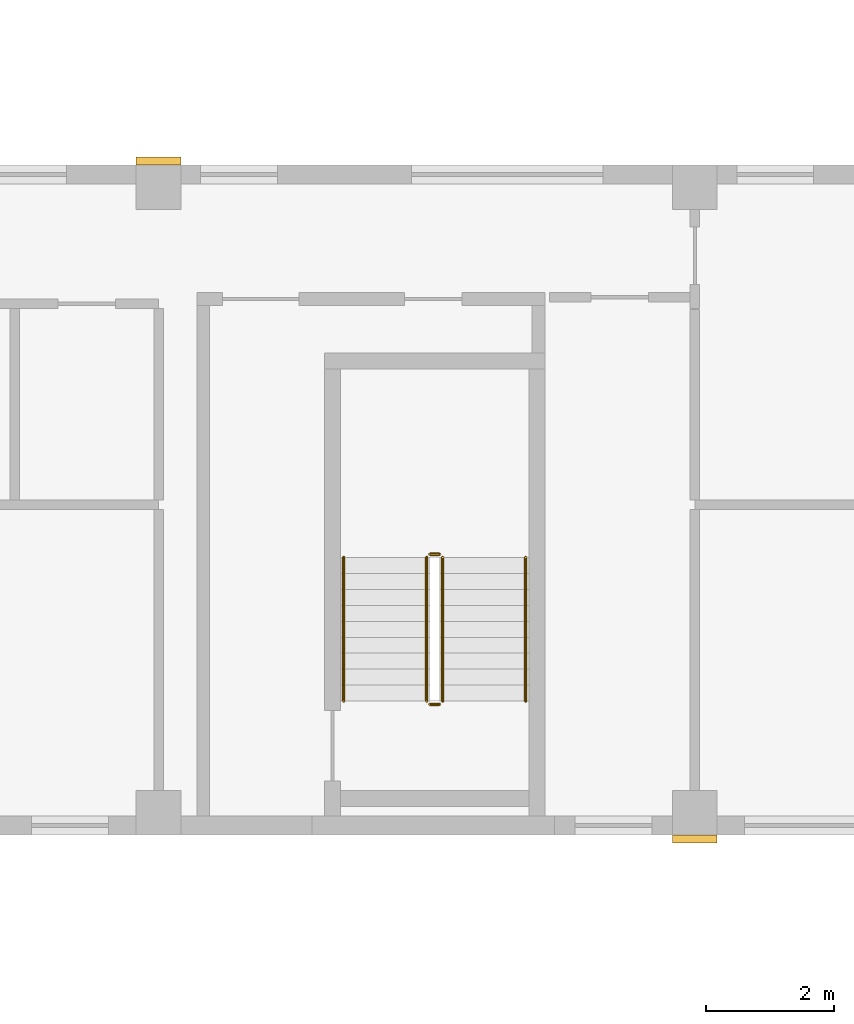
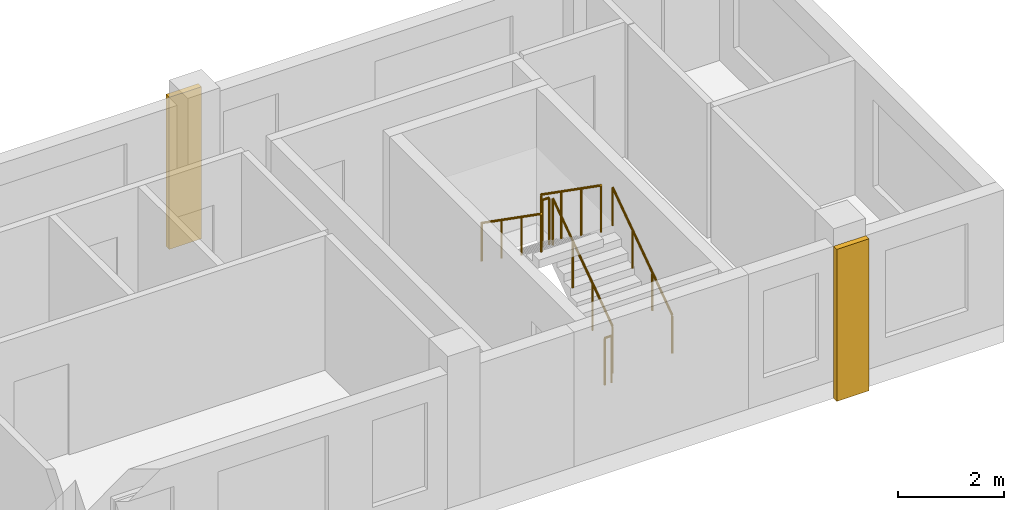
# One storey, part 8 of 9: 6 railings, 2 coverings.
"""IFC4 building model written with IfcOpenShell, lengths in metres."""

from ifc_helpers import new_model, si_unit, direction, frame, origin, origin_2d, place, context, subcontext, project, spatial, rectangle, circle, extrude, source, transform, mapped, material, type_object, element, save


model = new_model("IFC4")

# Units and contexts
model_context = context("Model", 3, precision=1e-05, world=origin(), true_north=direction((0.0, 1.0)))
body_context = subcontext(model_context, "Body", "Model", "MODEL_VIEW")
ifc_project = project(units=[si_unit("LENGTHUNIT", "METRE"), si_unit("AREAUNIT", "SQUARE_METRE"), si_unit("VOLUMEUNIT", "CUBIC_METRE"), si_unit("PLANEANGLEUNIT", "RADIAN"), si_unit("MASSUNIT", "GRAM", prefix="KILO")], contexts=[model_context])

# Site, building, storey
site_placement = place(None, origin())
site = spatial("IfcSite", under=ifc_project, at=site_placement, CompositionType="ELEMENT")
building_placement = place(site_placement, origin())
building = spatial("IfcBuilding", under=site, at=building_placement, Name="Aurelian Terraces", CompositionType="ELEMENT")
storey_placement = place(building_placement, frame((0.0, 0.0, 319.5)))
storey = spatial("IfcBuildingStorey", under=building, at=storey_placement, Name="L74", CompositionType="ELEMENT", Elevation=319.5)

# Coverings
ifc_material_1 = material(Name="Terracotta rainscreen cladding relief", Category="masonry")
covering_type = type_object("IfcCoveringType", Name="BAGUETTE-TC", PredefinedType="CLADDING", material=ifc_material_1)
shared_shape_1 = source(origin(), body_context, "Body", "SweptSolid", [
    extrude(rectangle(XDim=0.7, YDim=0.12, at=origin_2d()), origin(), (0.0, 0.0, 1.0), 3.5),
])
for number, where, z_axis, x_axis, name in (
    (1, (46.2, -0.06, -0.4), (0.0, 0.0, 1.0), (1.0, 0.0, 0.0), "BAGUETTE pier L74 3"),
    (2, (37.8, 10.56, -0.4), (0.0, 0.0, 1.0), (1.0, 0.0, 0.0), "BAGUETTE pier L74 4"),
):
    element("IfcCovering", number, at=place(storey_placement, frame(where, z_axis=z_axis, x_axis=x_axis)), inside=storey, type_object=covering_type, Name=name, PredefinedType="CLADDING", context=body_context, shape_type="MappedRepresentation", body=[
        mapped(shared_shape_1, transform((0.0, 0.0, 0.0), scale=1.0)),
    ])

# Railings
ifc_material_2 = material(Name="Stainless steel", Category="steel")
railing_type_1 = type_object("IfcRailingType", Name="Stair guard 1100", PredefinedType="GUARDRAIL", material=ifc_material_2)
shared_shape_2 = source(origin(), body_context, "Body", "SweptSolid", [
    extrude(circle(Radius=0.024, at=origin_2d()), frame((0.0, 0.0, 1.076), z_axis=(-1.0, 0.0, 0.0), x_axis=(0.0, -1.0, 0.0)), (0.0, 0.0, 1.0), 0.15),
    extrude(circle(Radius=0.021, at=origin_2d()), origin(), (0.0, 0.0, 1.0), 1.052),
    extrude(circle(Radius=0.021, at=origin_2d()), frame((-0.15, 0.0, 0.0)), (0.0, 0.0, 1.0), 1.052),
])
for number, where, name in (
    (3, (42.2, 4.4, 1.75), "L74 S2 stair guard 2"),
    (4, (42.2, 2.05, 0.0), "L74 S2 stair guard 4"),
):
    element("IfcRailing", number, at=place(storey_placement, frame(where)), inside=storey, type_object=railing_type_1, Name=name, PredefinedType="GUARDRAIL", context=body_context, shape_type="MappedRepresentation", body=[
        mapped(shared_shape_2, transform((0.0, 0.0, 0.0), scale=1.0)),
    ])
shared_shape_3 = source(origin(), body_context, "Body", "SweptSolid", [
    extrude(circle(Radius=0.024, at=origin_2d()), frame((0.0, 0.0, 1.076), z_axis=(0.0, 0.819231920519, 0.573462344363), x_axis=(-1.0, 0.0, 0.0)), (0.0, 0.0, 1.0), 2.7465),
    extrude(circle(Radius=0.021, at=origin_2d()), origin(), (0.0, 0.0, 1.0), 1.052),
    extrude(circle(Radius=0.021, at=origin_2d()), frame((0.0, 0.75, 0.525)), (0.0, 0.0, 1.0), 1.052),
    extrude(circle(Radius=0.021, at=origin_2d()), frame((0.0, 1.5, 1.05)), (0.0, 0.0, 1.0), 1.052),
    extrude(circle(Radius=0.021, at=origin_2d()), frame((0.0, 2.25, 1.575)), (0.0, 0.0, 1.0), 1.052),
])
railing_1_placement = place(storey_placement, frame((42.25, 2.1, 0.175)))
element("IfcRailing", 5, at=railing_1_placement, inside=storey, type_object=railing_type_1, Name="L74 S2 stair guard 1", PredefinedType="GUARDRAIL", context=body_context, shape_type="MappedRepresentation", body=[
    mapped(shared_shape_3, transform((0.0, 0.0, 0.0), scale=1.0)),
])
shared_shape_4 = source(origin(), body_context, "Body", "SweptSolid", [
    extrude(circle(Radius=0.024, at=origin_2d()), frame((0.0, 0.0, 1.076), z_axis=(0.0, -0.819231920519, 0.573462344363), x_axis=(1.0, 0.0, 0.0)), (0.0, 0.0, 1.0), 2.7465),
    extrude(circle(Radius=0.021, at=origin_2d()), origin(), (0.0, 0.0, 1.0), 1.052),
    extrude(circle(Radius=0.021, at=origin_2d()), frame((0.0, -0.75, 0.525)), (0.0, 0.0, 1.0), 1.052),
    extrude(circle(Radius=0.021, at=origin_2d()), frame((0.0, -1.5, 1.05)), (0.0, 0.0, 1.0), 1.052),
    extrude(circle(Radius=0.021, at=origin_2d()), frame((0.0, -2.25, 1.575)), (0.0, 0.0, 1.0), 1.052),
])
railing_2_placement = place(storey_placement, frame((42.0, 4.35, 1.925)))
element("IfcRailing", 6, at=railing_2_placement, inside=storey, type_object=railing_type_1, Name="L74 S2 stair guard 3", PredefinedType="GUARDRAIL", context=body_context, shape_type="MappedRepresentation", body=[
    mapped(shared_shape_4, transform((0.0, 0.0, 0.0), scale=1.0)),
])
railing_type_2 = type_object("IfcRailingType", Name="Stair handrail", PredefinedType="HANDRAIL", material=ifc_material_2)
shared_shape_5 = source(origin(), body_context, "Body", "SweptSolid", [
    extrude(circle(Radius=0.024, at=origin_2d()), frame((0.0, 0.0, 0.876), z_axis=(0.0, 0.819231920519, 0.573462344363), x_axis=(-1.0, 0.0, 0.0)), (0.0, 0.0, 1.0), 2.7465),
    extrude(circle(Radius=0.021, at=origin_2d()), origin(), (0.0, 0.0, 1.0), 0.852),
    extrude(circle(Radius=0.021, at=origin_2d()), frame((0.0, 0.75, 0.525)), (0.0, 0.0, 1.0), 0.852),
    extrude(circle(Radius=0.021, at=origin_2d()), frame((0.0, 1.5, 1.05)), (0.0, 0.0, 1.0), 0.852),
    extrude(circle(Radius=0.021, at=origin_2d()), frame((0.0, 2.25, 1.575)), (0.0, 0.0, 1.0), 0.852),
])
railing_3_placement = place(storey_placement, frame((43.55, 2.1, 0.175)))
element("IfcRailing", 7, at=railing_3_placement, inside=storey, type_object=railing_type_2, Name="L74 S2 stair handrail 1", PredefinedType="HANDRAIL", context=body_context, shape_type="MappedRepresentation", body=[
    mapped(shared_shape_5, transform((0.0, 0.0, 0.0), scale=1.0)),
])
shared_shape_6 = source(origin(), body_context, "Body", "SweptSolid", [
    extrude(circle(Radius=0.024, at=origin_2d()), frame((0.0, 0.0, 0.876), z_axis=(0.0, -0.819231920519, 0.573462344363), x_axis=(1.0, 0.0, 0.0)), (0.0, 0.0, 1.0), 2.7465),
    extrude(circle(Radius=0.021, at=origin_2d()), origin(), (0.0, 0.0, 1.0), 0.852),
    extrude(circle(Radius=0.021, at=origin_2d()), frame((0.0, -0.75, 0.525)), (0.0, 0.0, 1.0), 0.852),
    extrude(circle(Radius=0.021, at=origin_2d()), frame((0.0, -1.5, 1.05)), (0.0, 0.0, 1.0), 0.852),
    extrude(circle(Radius=0.021, at=origin_2d()), frame((0.0, -2.25, 1.575)), (0.0, 0.0, 1.0), 0.852),
])
railing_4_placement = place(storey_placement, frame((40.7, 4.35, 1.925)))
element("IfcRailing", 8, at=railing_4_placement, inside=storey, type_object=railing_type_2, Name="L74 S2 stair handrail 2", PredefinedType="HANDRAIL", context=body_context, shape_type="MappedRepresentation", body=[
    mapped(shared_shape_6, transform((0.0, 0.0, 0.0), scale=1.0)),
])

save(model, "model.ifc")
